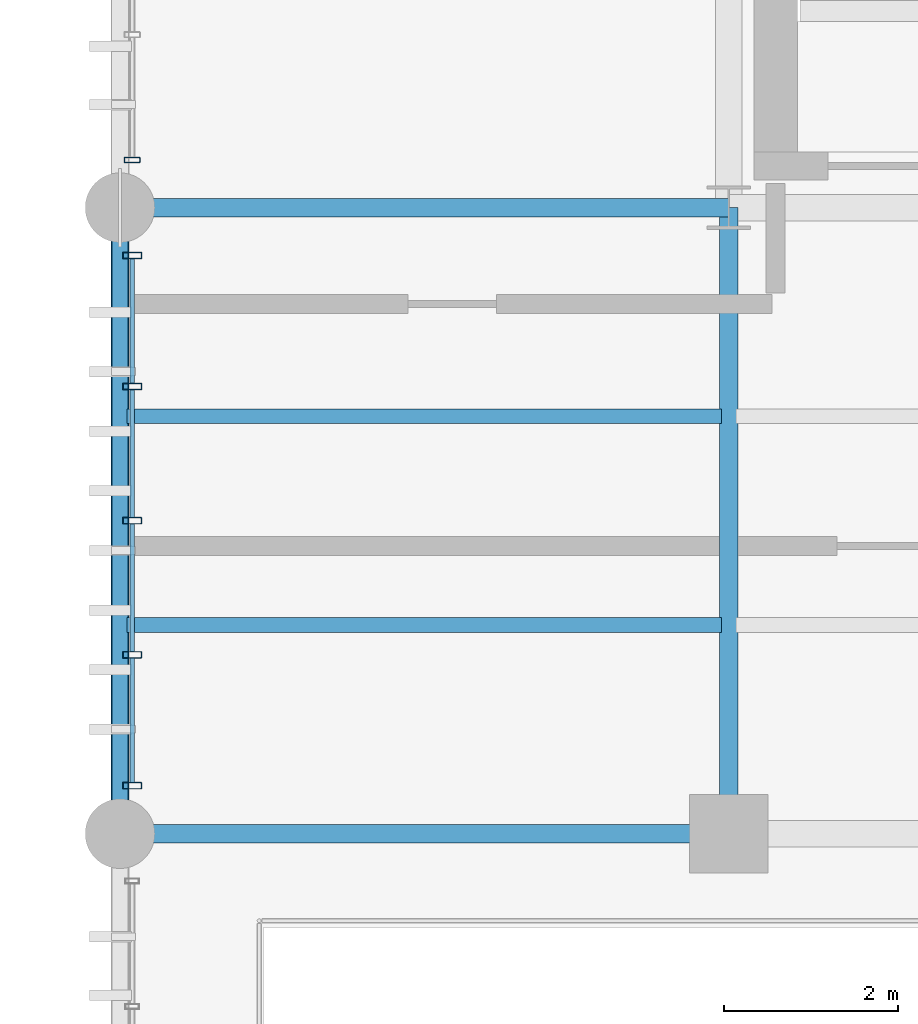
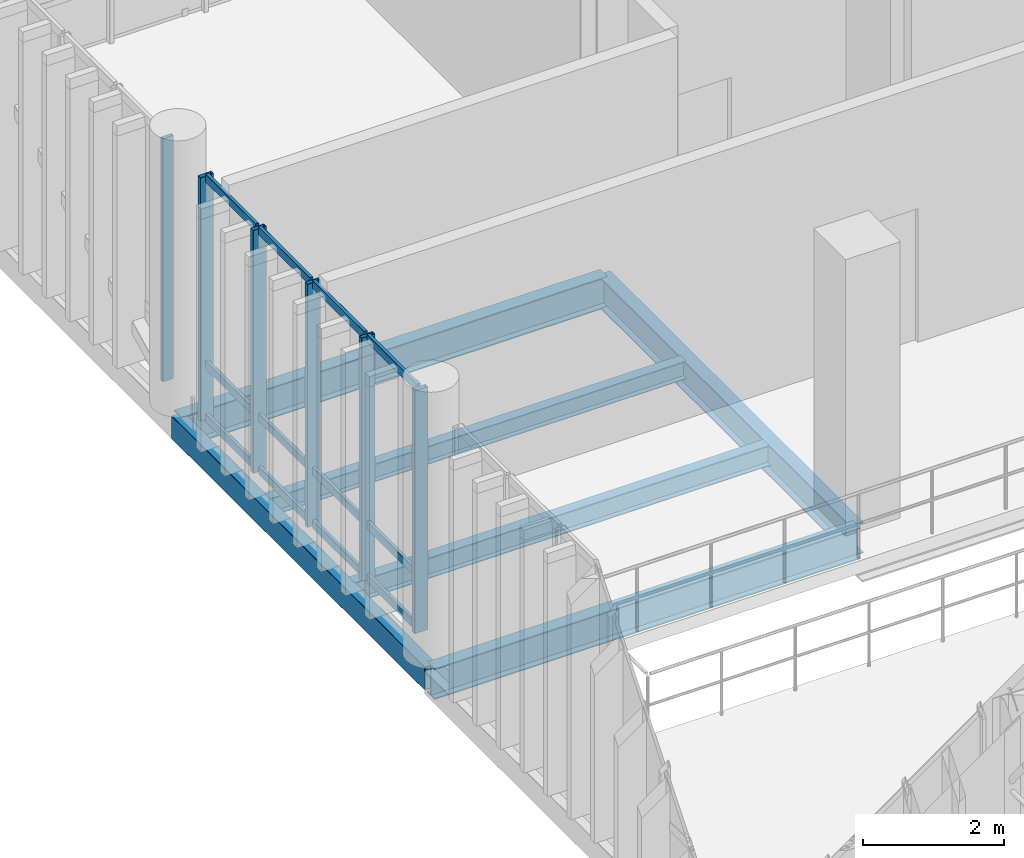
# One storey, part 27 of 109: 18 members, 6 beams, 2 elements without a shape of their own.
"""IFC4 building model written with IfcOpenShell, lengths in metres."""

from ifc_helpers import new_model, si_unit, direction, frame, origin_with_axes, origin_2d_with_axis, place, context, subcontext, project, spatial, hollow_rectangle, i_section, extrude, material, material_profile, profile_set, type_object, element, aggregate, save


model = new_model("IFC4")

# Units and contexts
model_context = context("Model", 3, precision=1e-05, world=origin_with_axes(), true_north=direction((0.0, 1.0)))
body_context = subcontext(model_context, "Body", "Model", "MODEL_VIEW")
ifc_project = project(units=[si_unit("LENGTHUNIT", "METRE"), si_unit("AREAUNIT", "SQUARE_METRE"), si_unit("VOLUMEUNIT", "CUBIC_METRE"), si_unit("PLANEANGLEUNIT", "RADIAN"), si_unit("MASSUNIT", "GRAM", prefix="KILO"), si_unit("THERMODYNAMICTEMPERATUREUNIT", "KELVIN")], contexts=[model_context])

# Site, building, storey
site_placement = place(None, origin_with_axes())
site = spatial("IfcSite", under=ifc_project, at=site_placement, CompositionType="ELEMENT")
building_placement = place(site_placement, origin_with_axes())
building = spatial("IfcBuilding", under=site, at=building_placement, Name="Montbau Bow Law Courts", CompositionType="ELEMENT")
storey_placement = place(building_placement, frame((0.0, 0.0, 10.8), z_axis=(0.0, 0.0, 1.0), x_axis=(1.0, 0.0, 0.0)))
storey = spatial("IfcBuildingStorey", under=building, at=storey_placement, Name="L02", CompositionType="ELEMENT", Elevation=10.8)

# Beams
ifc_material_1 = material(Name="Steel CSA G40.21 Grade 350W (350 MPa)", Category="steel")
ifc_material_profile_1 = material_profile(ifc_material_1, i_section(OverallWidth=0.21, OverallDepth=0.537, WebThickness=0.0109, FlangeThickness=0.0174, at=origin_2d_with_axis()), Name="W530X101", Category="Main", Priority=0)
ifc_profile_set_1 = profile_set([ifc_material_profile_1], Name="Steel CSA G40.21 Grade 350W (350 MPa)")
beam_type_1 = type_object("IfcBeamType", Name="B-FLR-06", PredefinedType="BEAM", material=ifc_profile_set_1)
for number, where, z_axis, x_axis, name in (
    (1, (6.8, 39.0, 10.312), (1.0, 0.0, 0.0), (0.0, 1.0, 0.0), "BM-L02-S0551:bm2_0554"),
    (2, (6.8, 46.2, 10.312), (1.0, 0.0, 0.0), (0.0, 1.0, 0.0), "BM-L02-S0556:bm2_0559"),
):
    element("IfcBeam", number, at=place(None, frame(where, z_axis=z_axis, x_axis=x_axis)), inside=storey, type_object=beam_type_1, Name=name, PredefinedType="BEAM", context=body_context, shape_type="SweptSolid", body=[
        extrude(i_section(OverallWidth=0.21, OverallDepth=0.537, WebThickness=0.0109, FlangeThickness=0.0174, at=origin_2d_with_axis()), origin_with_axes(), (0.0, 0.0, 1.0), 7.0),
    ])
beam_1_placement = place(None, frame((13.8, 39.0, 10.312), z_axis=(0.0, 1.0, 0.0), x_axis=(-1.0, 0.0, 0.0)))
element("IfcBeam", 3, at=beam_1_placement, inside=storey, type_object=beam_type_1, Name="BM-L02-S0569:bm2_0572", PredefinedType="BEAM", context=body_context, shape_type="SweptSolid", body=[
    extrude(i_section(OverallWidth=0.21, OverallDepth=0.537, WebThickness=0.0109, FlangeThickness=0.0174, at=origin_2d_with_axis()), origin_with_axes(), (0.0, 0.0, 1.0), 7.2),
])
ifc_material_profile_2 = material_profile(ifc_material_1, i_section(OverallWidth=0.172, OverallDepth=0.358, WebThickness=0.0079, FlangeThickness=0.0131, at=origin_2d_with_axis()), Name="W360X57", Category="Main", Priority=0)
ifc_profile_set_2 = profile_set([ifc_material_profile_2], Name="Steel CSA G40.21 Grade 350W (350 MPa)")
beam_type_2 = type_object("IfcBeamType", Name="B-JST-03", PredefinedType="JOIST", material=ifc_profile_set_2)
beam_2_placement = place(None, frame((6.88, 41.4, 10.401), z_axis=(1.0, 0.0, 0.0), x_axis=(0.0, 1.0, 0.0)))
element("IfcBeam", 4, at=beam_2_placement, inside=storey, type_object=beam_type_2, Name="JST-L02-S0266:jst2_0266", PredefinedType="JOIST", context=body_context, shape_type="SweptSolid", body=[
    extrude(i_section(OverallWidth=0.172, OverallDepth=0.358, WebThickness=0.0079, FlangeThickness=0.0131, at=origin_2d_with_axis()), origin_with_axes(), (0.0, 0.0, 1.0), 6.839),
])
ifc_material_profile_3 = material_profile(ifc_material_1, i_section(OverallWidth=0.166, OverallDepth=0.313, WebThickness=0.0066, FlangeThickness=0.0112, at=origin_2d_with_axis()), Name="W310X45", Category="Main", Priority=0)
ifc_profile_set_3 = profile_set([ifc_material_profile_3], Name="Steel CSA G40.21 Grade 350W (350 MPa)")
beam_type_3 = type_object("IfcBeamType", Name="B-JST-04", PredefinedType="JOIST", material=ifc_profile_set_3)
beam_3_placement = place(None, frame((6.88, 43.8, 10.424), z_axis=(1.0, 0.0, 0.0), x_axis=(0.0, 1.0, 0.0)))
element("IfcBeam", 5, at=beam_3_placement, inside=storey, type_object=beam_type_3, Name="JST-L02-S0267:jst2_0267", PredefinedType="JOIST", context=body_context, shape_type="SweptSolid", body=[
    extrude(i_section(OverallWidth=0.166, OverallDepth=0.313, WebThickness=0.0066, FlangeThickness=0.0112, at=origin_2d_with_axis()), origin_with_axes(), (0.0, 0.0, 1.0), 6.839),
])
ifc_material_2 = material(Name="Steel CSA G40.21 Grade 350WT (350 MPa)", Category="steel")
ifc_material_profile_4 = material_profile(ifc_material_2, hollow_rectangle(XDim=0.203, YDim=0.406, WallThickness=0.0127, InnerFilletRadius=0.0254, OuterFilletRadius=0.0127, at=origin_2d_with_axis()), Name="HSS406X203X13", Category="Main", Priority=0)
ifc_profile_set_4 = profile_set([ifc_material_profile_4], Name="Steel CSA G40.21 Grade 350WT (350 MPa)")
beam_type_4 = type_object("IfcBeamType", Name="B-SPN-01", PredefinedType="SPANDREL", material=ifc_profile_set_4)
beam_4_placement = place(None, frame((6.8, 39.0, 10.377), z_axis=(0.0, 1.0, 0.0), x_axis=(-1.0, 0.0, 0.0)))
element("IfcBeam", 6, at=beam_4_placement, inside=storey, type_object=beam_type_4, Name="SPN-L02-S0567:bm2_0570", PredefinedType="SPANDREL", context=body_context, shape_type="SweptSolid", body=[
    extrude(hollow_rectangle(XDim=0.203, YDim=0.406, WallThickness=0.0127, InnerFilletRadius=0.0254, OuterFilletRadius=0.0127, at=origin_2d_with_axis()), origin_with_axes(), (0.0, 0.0, 1.0), 7.2),
])

# Curtain wall, members
ifc_material_3 = material(Name="Thermally Broken Extruded Aluminium AA 6063-T6", Category="aluminium")
curtain_wall_type = type_object("IfcCurtainWallType", Name="CW-TRC-01", PredefinedType="NOTDEFINED", material=ifc_material_3)
curtain_wall_1_placement = place(None, frame((6.94, 39.515, 10.8), z_axis=(0.0, 0.0, 1.0), x_axis=(1.0, 0.0, 0.0)))
curtain_wall_1 = element("IfcCurtainWall", 7, at=curtain_wall_1_placement, inside=storey, type_object=curtain_wall_type, Name="CW-L02-045:cw_0045", PredefinedType="NOTDEFINED")
ifc_material_profile_5 = material_profile(ifc_material_3, hollow_rectangle(XDim=0.075, YDim=0.22, WallThickness=0.005, InnerFilletRadius=0.01, OuterFilletRadius=0.005, at=origin_2d_with_axis()), Name="CWM-220X75", Category="Main", Priority=0)
ifc_profile_set_5 = profile_set([ifc_material_profile_5], Name="Thermally Broken Extruded Aluminium AA 6063-T6")
member_type_1 = type_object("IfcMemberType", Name="M-MUL-01", PredefinedType="MULLION", material=ifc_profile_set_5)
member_1_placement = place(None, frame((6.94, 39.552, 10.8), z_axis=(0.0, 0.0, 1.0), x_axis=(0.0, 1.0, 0.0)))
member_1 = element("IfcMember", 8, at=member_1_placement, type_object=member_type_1, Name="CW-L02-045-M01:cw_0045_M01", PredefinedType="MULLION", context=body_context, shape_type="SweptSolid", body=[
    extrude(hollow_rectangle(XDim=0.075, YDim=0.22, WallThickness=0.005, InnerFilletRadius=0.01, OuterFilletRadius=0.005, at=origin_2d_with_axis()), origin_with_axes(), (0.0, 0.0, 1.0), 4.22),
])
member_2_placement = place(None, frame((6.94, 41.058, 10.8), z_axis=(0.0, 0.0, 1.0), x_axis=(0.0, 1.0, 0.0)))
member_2 = element("IfcMember", 9, at=member_2_placement, type_object=member_type_1, Name="CW-L02-045-M02:cw_0045_M02", PredefinedType="MULLION", context=body_context, shape_type="SweptSolid", body=[
    extrude(hollow_rectangle(XDim=0.075, YDim=0.22, WallThickness=0.005, InnerFilletRadius=0.01, OuterFilletRadius=0.005, at=origin_2d_with_axis()), origin_with_axes(), (0.0, 0.0, 1.0), 4.22),
])
member_3_placement = place(None, frame((6.94, 42.6, 10.8), z_axis=(0.0, 0.0, 1.0), x_axis=(0.0, 1.0, 0.0)))
member_3 = element("IfcMember", 10, at=member_3_placement, type_object=member_type_1, Name="CW-L02-045-M03:cw_0045_M03", PredefinedType="MULLION", context=body_context, shape_type="SweptSolid", body=[
    extrude(hollow_rectangle(XDim=0.075, YDim=0.22, WallThickness=0.005, InnerFilletRadius=0.01, OuterFilletRadius=0.005, at=origin_2d_with_axis()), origin_with_axes(), (0.0, 0.0, 1.0), 4.22),
])
member_4_placement = place(None, frame((6.94, 44.143, 10.8), z_axis=(0.0, 0.0, 1.0), x_axis=(0.0, 1.0, 0.0)))
member_4 = element("IfcMember", 11, at=member_4_placement, type_object=member_type_1, Name="CW-L02-045-M04:cw_0045_M04", PredefinedType="MULLION", context=body_context, shape_type="SweptSolid", body=[
    extrude(hollow_rectangle(XDim=0.075, YDim=0.22, WallThickness=0.005, InnerFilletRadius=0.01, OuterFilletRadius=0.005, at=origin_2d_with_axis()), origin_with_axes(), (0.0, 0.0, 1.0), 4.22),
])
member_5_placement = place(None, frame((6.94, 45.648, 10.8), z_axis=(0.0, 0.0, 1.0), x_axis=(0.0, 1.0, 0.0)))
member_5 = element("IfcMember", 12, at=member_5_placement, type_object=member_type_1, Name="CW-L02-045-M05:cw_0045_M05", PredefinedType="MULLION", context=body_context, shape_type="SweptSolid", body=[
    extrude(hollow_rectangle(XDim=0.075, YDim=0.22, WallThickness=0.005, InnerFilletRadius=0.01, OuterFilletRadius=0.005, at=origin_2d_with_axis()), origin_with_axes(), (0.0, 0.0, 1.0), 4.22),
])

# Curtain wall, member
curtain_wall_2_placement = place(None, frame((6.94, 46.715, 10.8), z_axis=(0.0, 0.0, 1.0), x_axis=(1.0, 0.0, 0.0)))
curtain_wall_2 = element("IfcCurtainWall", 13, at=curtain_wall_2_placement, inside=storey, type_object=curtain_wall_type, Name="CW-L02-046:cw_0046", PredefinedType="NOTDEFINED")
ifc_material_profile_6 = material_profile(ifc_material_3, hollow_rectangle(XDim=0.065, YDim=0.18, WallThickness=0.005, InnerFilletRadius=0.01, OuterFilletRadius=0.005, at=origin_2d_with_axis()), Name="CWM-180X65", Category="Main", Priority=0)
ifc_profile_set_6 = profile_set([ifc_material_profile_6], Name="Thermally Broken Extruded Aluminium AA 6063-T6")
member_type_2 = type_object("IfcMemberType", Name="M-MUL-02", PredefinedType="MULLION", material=ifc_profile_set_6)
member_6_placement = place(None, frame((6.94, 46.748, 10.8), z_axis=(0.0, 0.0, 1.0), x_axis=(0.0, 1.0, 0.0)))
member_6 = element("IfcMember", 14, at=member_6_placement, type_object=member_type_2, Name="CW-L02-046-M01:cw_0046_M01", PredefinedType="MULLION", context=body_context, shape_type="SweptSolid", body=[
    extrude(hollow_rectangle(XDim=0.065, YDim=0.18, WallThickness=0.005, InnerFilletRadius=0.01, OuterFilletRadius=0.005, at=origin_2d_with_axis()), origin_with_axes(), (0.0, 0.0, 1.0), 4.22),
])
aggregate(curtain_wall_2, [member_6])

# Member
ifc_material_profile_7 = material_profile(ifc_material_3, hollow_rectangle(XDim=0.055, YDim=0.14, WallThickness=0.004, InnerFilletRadius=0.008, OuterFilletRadius=0.004, at=origin_2d_with_axis()), Name="CWT-140X55", Category="Main", Priority=0)
ifc_profile_set_7 = profile_set([ifc_material_profile_7], Name="Thermally Broken Extruded Aluminium AA 6063-T6")
member_type_3 = type_object("IfcMemberType", Name="M-TRN-02", PredefinedType="USERDEFINED", material=ifc_profile_set_7)
member_7_placement = place(None, frame((6.94, 39.591, 10.828), z_axis=(0.0, 1.0, 0.0), x_axis=(-1.0, 0.0, 0.0)))
member_7 = element("IfcMember", 15, at=member_7_placement, type_object=member_type_3, Name="CW-L02-045-T01-1:cw_0045_T01_1", ObjectType="TRANSOM", PredefinedType="USERDEFINED", context=body_context, shape_type="SweptSolid", body=[
    extrude(hollow_rectangle(XDim=0.055, YDim=0.14, WallThickness=0.004, InnerFilletRadius=0.008, OuterFilletRadius=0.004, at=origin_2d_with_axis()), origin_with_axes(), (0.0, 0.0, 1.0), 1.427),
])

member_8_placement = place(None, frame((6.94, 39.591, 11.75), z_axis=(0.0, 1.0, 0.0), x_axis=(-1.0, 0.0, 0.0)))
member_8 = element("IfcMember", 16, at=member_8_placement, type_object=member_type_3, Name="CW-L02-045-T01-2:cw_0045_T01_2", ObjectType="TRANSOM", PredefinedType="USERDEFINED", context=body_context, shape_type="SweptSolid", body=[
    extrude(hollow_rectangle(XDim=0.055, YDim=0.14, WallThickness=0.004, InnerFilletRadius=0.008, OuterFilletRadius=0.004, at=origin_2d_with_axis()), origin_with_axes(), (0.0, 0.0, 1.0), 1.427),
])

member_9_placement = place(None, frame((6.94, 39.591, 14.992), z_axis=(0.0, 1.0, 0.0), x_axis=(-1.0, 0.0, 0.0)))
member_9 = element("IfcMember", 17, at=member_9_placement, type_object=member_type_3, Name="CW-L02-045-T01-3:cw_0045_T01_3", ObjectType="TRANSOM", PredefinedType="USERDEFINED", context=body_context, shape_type="SweptSolid", body=[
    extrude(hollow_rectangle(XDim=0.055, YDim=0.14, WallThickness=0.004, InnerFilletRadius=0.008, OuterFilletRadius=0.004, at=origin_2d_with_axis()), origin_with_axes(), (0.0, 0.0, 1.0), 1.427),
])

member_10_placement = place(None, frame((6.94, 41.098, 10.828), z_axis=(0.0, 1.0, 0.0), x_axis=(-1.0, 0.0, 0.0)))
member_10 = element("IfcMember", 18, at=member_10_placement, type_object=member_type_3, Name="CW-L02-045-T02-1:cw_0045_T02_1", ObjectType="TRANSOM", PredefinedType="USERDEFINED", context=body_context, shape_type="SweptSolid", body=[
    extrude(hollow_rectangle(XDim=0.055, YDim=0.14, WallThickness=0.004, InnerFilletRadius=0.008, OuterFilletRadius=0.004, at=origin_2d_with_axis()), origin_with_axes(), (0.0, 0.0, 1.0), 1.463),
])

member_11_placement = place(None, frame((6.94, 41.098, 11.75), z_axis=(0.0, 1.0, 0.0), x_axis=(-1.0, 0.0, 0.0)))
member_11 = element("IfcMember", 19, at=member_11_placement, type_object=member_type_3, Name="CW-L02-045-T02-2:cw_0045_T02_2", ObjectType="TRANSOM", PredefinedType="USERDEFINED", context=body_context, shape_type="SweptSolid", body=[
    extrude(hollow_rectangle(XDim=0.055, YDim=0.14, WallThickness=0.004, InnerFilletRadius=0.008, OuterFilletRadius=0.004, at=origin_2d_with_axis()), origin_with_axes(), (0.0, 0.0, 1.0), 1.463),
])

member_12_placement = place(None, frame((6.94, 41.098, 14.992), z_axis=(0.0, 1.0, 0.0), x_axis=(-1.0, 0.0, 0.0)))
member_12 = element("IfcMember", 20, at=member_12_placement, type_object=member_type_3, Name="CW-L02-045-T02-3:cw_0045_T02_3", ObjectType="TRANSOM", PredefinedType="USERDEFINED", context=body_context, shape_type="SweptSolid", body=[
    extrude(hollow_rectangle(XDim=0.055, YDim=0.14, WallThickness=0.004, InnerFilletRadius=0.008, OuterFilletRadius=0.004, at=origin_2d_with_axis()), origin_with_axes(), (0.0, 0.0, 1.0), 1.463),
])

member_13_placement = place(None, frame((6.94, 42.639, 10.828), z_axis=(0.0, 1.0, 0.0), x_axis=(-1.0, 0.0, 0.0)))
member_13 = element("IfcMember", 21, at=member_13_placement, type_object=member_type_3, Name="CW-L02-045-T03-1:cw_0045_T03_1", ObjectType="TRANSOM", PredefinedType="USERDEFINED", context=body_context, shape_type="SweptSolid", body=[
    extrude(hollow_rectangle(XDim=0.055, YDim=0.14, WallThickness=0.004, InnerFilletRadius=0.008, OuterFilletRadius=0.004, at=origin_2d_with_axis()), origin_with_axes(), (0.0, 0.0, 1.0), 1.465),
])

member_14_placement = place(None, frame((6.94, 42.639, 11.75), z_axis=(0.0, 1.0, 0.0), x_axis=(-1.0, 0.0, 0.0)))
member_14 = element("IfcMember", 22, at=member_14_placement, type_object=member_type_3, Name="CW-L02-045-T03-2:cw_0045_T03_2", ObjectType="TRANSOM", PredefinedType="USERDEFINED", context=body_context, shape_type="SweptSolid", body=[
    extrude(hollow_rectangle(XDim=0.055, YDim=0.14, WallThickness=0.004, InnerFilletRadius=0.008, OuterFilletRadius=0.004, at=origin_2d_with_axis()), origin_with_axes(), (0.0, 0.0, 1.0), 1.465),
])

member_15_placement = place(None, frame((6.94, 42.639, 14.992), z_axis=(0.0, 1.0, 0.0), x_axis=(-1.0, 0.0, 0.0)))
member_15 = element("IfcMember", 23, at=member_15_placement, type_object=member_type_3, Name="CW-L02-045-T03-3:cw_0045_T03_3", ObjectType="TRANSOM", PredefinedType="USERDEFINED", context=body_context, shape_type="SweptSolid", body=[
    extrude(hollow_rectangle(XDim=0.055, YDim=0.14, WallThickness=0.004, InnerFilletRadius=0.008, OuterFilletRadius=0.004, at=origin_2d_with_axis()), origin_with_axes(), (0.0, 0.0, 1.0), 1.465),
])

member_16_placement = place(None, frame((6.94, 44.182, 10.828), z_axis=(0.0, 1.0, 0.0), x_axis=(-1.0, 0.0, 0.0)))
member_16 = element("IfcMember", 24, at=member_16_placement, type_object=member_type_3, Name="CW-L02-045-T04-1:cw_0045_T04_1", ObjectType="TRANSOM", PredefinedType="USERDEFINED", context=body_context, shape_type="SweptSolid", body=[
    extrude(hollow_rectangle(XDim=0.055, YDim=0.14, WallThickness=0.004, InnerFilletRadius=0.008, OuterFilletRadius=0.004, at=origin_2d_with_axis()), origin_with_axes(), (0.0, 0.0, 1.0), 1.427),
])

member_17_placement = place(None, frame((6.94, 44.182, 11.75), z_axis=(0.0, 1.0, 0.0), x_axis=(-1.0, 0.0, 0.0)))
member_17 = element("IfcMember", 25, at=member_17_placement, type_object=member_type_3, Name="CW-L02-045-T04-2:cw_0045_T04_2", ObjectType="TRANSOM", PredefinedType="USERDEFINED", context=body_context, shape_type="SweptSolid", body=[
    extrude(hollow_rectangle(XDim=0.055, YDim=0.14, WallThickness=0.004, InnerFilletRadius=0.008, OuterFilletRadius=0.004, at=origin_2d_with_axis()), origin_with_axes(), (0.0, 0.0, 1.0), 1.427),
])

member_18_placement = place(None, frame((6.94, 44.182, 14.992), z_axis=(0.0, 1.0, 0.0), x_axis=(-1.0, 0.0, 0.0)))
member_18 = element("IfcMember", 26, at=member_18_placement, type_object=member_type_3, Name="CW-L02-045-T04-3:cw_0045_T04_3", ObjectType="TRANSOM", PredefinedType="USERDEFINED", context=body_context, shape_type="SweptSolid", body=[
    extrude(hollow_rectangle(XDim=0.055, YDim=0.14, WallThickness=0.004, InnerFilletRadius=0.008, OuterFilletRadius=0.004, at=origin_2d_with_axis()), origin_with_axes(), (0.0, 0.0, 1.0), 1.427),
])

aggregate(curtain_wall_1, [member_1, member_2, member_3, member_4, member_5, member_7, member_8, member_9, member_10, member_11, member_12, member_13, member_14, member_15, member_16, member_17, member_18])

save(model, "model.ifc")
